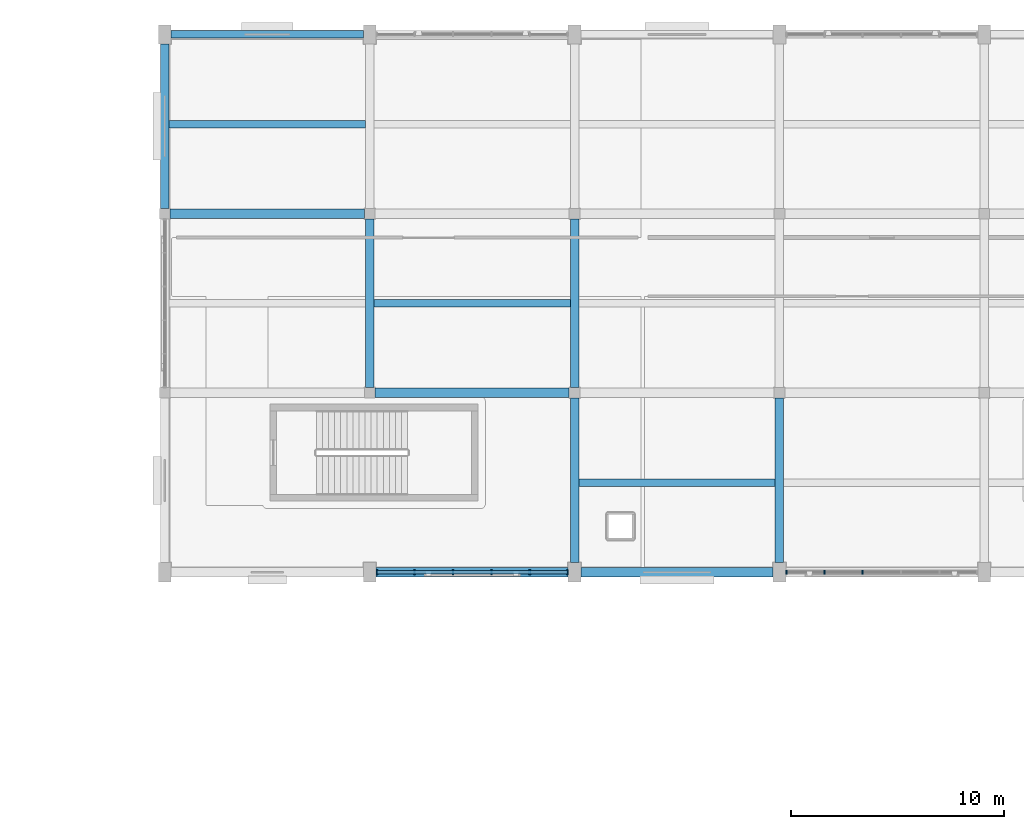
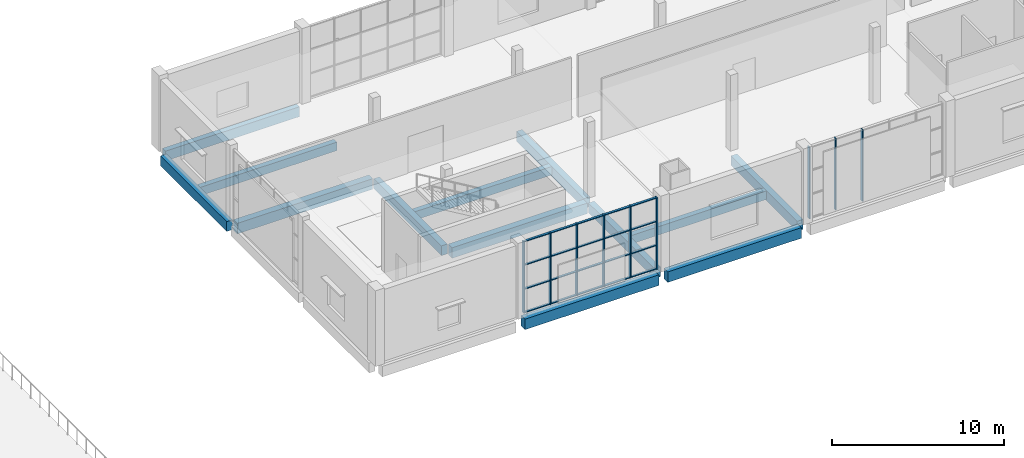
# One storey, part 22 of 72: 13 beams, 13 members, 2 elements without a shape of their own.
"""IFC4 building model written with IfcOpenShell, lengths in metres."""

import ifcopenshell
import ifcopenshell.guid

model = None  # the IFC model being written
_history = None  # IfcOwnerHistory: only IFC2X3 demands one
_inside = {}  # id of a spatial element -> (the spatial element, [elements in it])
_under = {}  # id of a project, library or spatial element -> (it, [spatial elements below it])
_declared = {}  # id of a project -> (the project, [libraries it declares])
_typed = {}  # id of a type object -> (the type object, [elements of that type])
_made_of = {}  # id of a material, layer set ... -> (it, [elements and type objects made of it])


def new_model(schema):
    """Start an empty IFC model of exactly this schema.

    Asked for "IFC4X3", IfcOpenShell would pick the latest addendum, in which some entities
    have other attributes; the version numbers below select the first issue.
    IFC2X3 requires an IfcOwnerHistory on every rooted entity: one is made here for all.
    """
    global model, _history
    if schema == "IFC4X3":
        model = ifcopenshell.file(schema_version=(4, 3, 0, 0))
    else:
        model = ifcopenshell.file(schema=schema)
    _inside.clear()
    _under.clear()
    _declared.clear()
    _typed.clear()
    _made_of.clear()
    _history = None
    if model.schema == "IFC2X3":
        org = make("IfcOrganization", Name="unknown")
        user = make(
            "IfcPersonAndOrganization",
            ThePerson=make("IfcPerson", FamilyName="unknown"),
            TheOrganization=org,
        )
        app = make(
            "IfcApplication",
            ApplicationDeveloper=org,
            Version="unknown",
            ApplicationFullName="unknown",
            ApplicationIdentifier="unknown",
        )
        _history = make(
            "IfcOwnerHistory",
            OwningUser=user,
            OwningApplication=app,
            ChangeAction="ADDED",
            CreationDate=0,
        )
    return model


def make(cls, **values):
    """One entity of the class cls with the attributes given. An attribute that is None is left unset."""
    return model.create_entity(
        cls, **{name: value for name, value in values.items() if value is not None}
    )


def rooted(cls, **values):
    """An entity with a GlobalId (a new one), such as an element, a storey or a relation."""
    return make(cls, GlobalId=ifcopenshell.guid.new(), OwnerHistory=_history, **values)


def si_unit(unit_type, name, prefix=None):
    """IfcSIUnit, for example si_unit("LENGTHUNIT", "METRE", prefix="MILLI")."""
    return make("IfcSIUnit", UnitType=unit_type, Prefix=prefix, Name=name)


def assignment(units):
    """IfcUnitAssignment: the units of a project."""
    return None if units is None else make("IfcUnitAssignment", Units=units)


def point(xyz):
    """IfcCartesianPoint."""
    return None if xyz is None else make("IfcCartesianPoint", Coordinates=xyz)


def direction(xyz):
    """IfcDirection."""
    return None if xyz is None else make("IfcDirection", DirectionRatios=xyz)


def frame(location, z_axis=None, x_axis=None):
    """IfcAxis2Placement3D, a coordinate frame: its origin and axes. An axis left out is left unset."""
    return make(
        "IfcAxis2Placement3D",
        Location=point(location),
        Axis=direction(z_axis),
        RefDirection=direction(x_axis),
    )


def frame_2d(location, x_axis=None):
    """IfcAxis2Placement2D, a coordinate frame in the plane: its origin and x axis."""
    return make(
        "IfcAxis2Placement2D", Location=point(location), RefDirection=direction(x_axis)
    )


def origin():
    """The frame at (0, 0, 0) with its axes left unset."""
    return frame((0.0, 0.0, 0.0))


def origin_2d():
    """The frame at (0, 0) in the plane with its x axis left unset."""
    return frame_2d((0.0, 0.0))


def place(relative_to, where):
    """IfcLocalPlacement: puts the frame where relative to a parent placement (None: the world)."""
    return make(
        "IfcLocalPlacement", PlacementRelTo=relative_to, RelativePlacement=where
    )


def context(
    kind, dimensions, precision=None, world=None, true_north=None, identifier=None
):
    """IfcGeometricRepresentationContext, for example the 3D "Model" context."""
    return make(
        "IfcGeometricRepresentationContext",
        ContextIdentifier=identifier,
        ContextType=kind,
        CoordinateSpaceDimension=dimensions,
        Precision=precision,
        WorldCoordinateSystem=world,
        TrueNorth=true_north,
    )


def subcontext(parent, identifier, kind, view, scale=None):
    """IfcGeometricRepresentationSubContext, for example "Body" below "Model"."""
    return make(
        "IfcGeometricRepresentationSubContext",
        ContextIdentifier=identifier,
        ContextType=kind,
        ParentContext=parent,
        TargetScale=scale,
        TargetView=view,
    )


def project(units=None, contexts=None):
    """IfcProject with its units and contexts."""
    return rooted(
        "IfcProject",
        Name="project",
        RepresentationContexts=contexts,
        UnitsInContext=assignment(units),
    )


def spatial(cls, under=None, at=None, **own):
    """A site, building, storey or space (cls), placed at a placement, below another one or the project."""
    s = rooted(cls, ObjectPlacement=at, **own)
    if under is not None:
        _under.setdefault(under.id(), (under, []))[1].append(s)
    return s


def profile(cls, at=None, kind="AREA", **sizes):
    """A parametric profile (cls). Its sizes go by their IFC names, for example OverallWidth=200.0."""
    return make(cls, ProfileType=kind, Position=at, **sizes)


def rectangle(**sizes):
    """IfcRectangleProfileDef."""
    return profile("IfcRectangleProfileDef", **sizes)


def extrude(swept, where, along, depth):
    """IfcExtrudedAreaSolid: the profile swept, set in the frame where, extruded along a direction by depth."""
    return make(
        "IfcExtrudedAreaSolid",
        SweptArea=swept,
        Position=where,
        ExtrudedDirection=direction(along),
        Depth=depth,
    )


def shape(context_of_items, identifier, shape_type, items):
    """IfcShapeRepresentation: the items that make up one representation, for example the "Body"."""
    return make(
        "IfcShapeRepresentation",
        ContextOfItems=context_of_items,
        RepresentationIdentifier=identifier,
        RepresentationType=shape_type,
        Items=items,
    )


def material(Name=None, Category=None):
    """IfcMaterial."""
    return make("IfcMaterial", Name=Name, Category=Category)


def material_profile(
    of_material, cross_section, Name=None, Category=None, Priority=None
):
    """IfcMaterialProfile: a cross section and its material."""
    return make(
        "IfcMaterialProfile",
        Name=Name,
        Material=of_material,
        Profile=cross_section,
        Priority=Priority,
        Category=Category,
    )


def profile_set(profiles, Name=None, composite=None):
    """IfcMaterialProfileSet."""
    return make(
        "IfcMaterialProfileSet",
        Name=Name,
        MaterialProfiles=profiles,
        CompositeProfile=composite,
    )


def made_of(thing, what):
    """Note that an element or type object is made of a material, layer set ...; save() writes the relation."""
    if what is not None:
        _made_of.setdefault(what.id(), (what, []))[1].append(thing)
    return thing


def type_object(cls, material=None, **own):
    """A type object (cls), such as IfcWallType, which elements share."""
    return made_of(rooted(cls, **own), material)


def element(
    cls,
    number,
    at=None,
    inside=None,
    cuts=None,
    type_object=None,
    material=None,
    context=None,
    identifier="Body",
    shape_type=None,
    held_by="IfcProductDefinitionShape",
    body=None,
    shapes=None,
    **own,
):
    """One element of the class cls, such as IfcWall. Its Tag is "e" and its number.

    at: its placement. inside: the storey or other place that contains it. cuts: it is an
    opening in that element (IfcRelVoidsElement). A single representation is given by context,
    identifier, shape_type and body (its items); several are given by shapes. held_by: the class
    of the entity that holds the representations. save() writes the other relations.
    """
    e = rooted(cls, Tag="e%d" % number, ObjectPlacement=at, **own)
    if body is not None:
        shapes = [shape(context, identifier, shape_type, body)]
    if shapes is not None:
        e.Representation = make(held_by, Representations=shapes)
    if inside is not None:
        _inside.setdefault(inside.id(), (inside, []))[1].append(e)
    if cuts is not None:
        rooted(
            "IfcRelVoidsElement", RelatingBuildingElement=cuts, RelatedOpeningElement=e
        )
    if type_object is not None:
        _typed.setdefault(type_object.id(), (type_object, []))[1].append(e)
    return made_of(e, material)


def aggregate(whole, parts):
    """IfcRelAggregates: a whole, such as a stair, and the parts it consists of."""
    return rooted("IfcRelAggregates", RelatingObject=whole, RelatedObjects=parts)


def save(model, path):
    """Write the relations noted so far, then the file.

    IfcRelAggregates (storeys below a building ...), IfcRelContainedInSpatialStructure (elements
    in a storey), IfcRelDefinesByType, IfcRelAssociatesMaterial and IfcRelDeclares: one each for
    every whole, place, type object, material and project.
    """
    for whole, parts in _under.values():
        aggregate(whole, parts)
    for where, things in _inside.values():
        rooted(
            "IfcRelContainedInSpatialStructure",
            RelatedElements=things,
            RelatingStructure=where,
        )
    for kind, things in _typed.values():
        rooted("IfcRelDefinesByType", RelatedObjects=things, RelatingType=kind)
    for what, things in _made_of.values():
        rooted("IfcRelAssociatesMaterial", RelatedObjects=things, RelatingMaterial=what)
    for by, libraries in _declared.values():
        rooted("IfcRelDeclares", RelatingContext=by, RelatedDefinitions=libraries)
    model.write(path)


model = new_model("IFC4")

# Units and contexts
model_context = context("Model", 3, precision=1e-05, world=origin(), true_north=direction((0.0, 1.0)))
body_context = subcontext(model_context, "Body", "Model", "MODEL_VIEW")
ifc_project = project(units=[si_unit("LENGTHUNIT", "METRE"), si_unit("AREAUNIT", "SQUARE_METRE"), si_unit("VOLUMEUNIT", "CUBIC_METRE"), si_unit("PLANEANGLEUNIT", "RADIAN"), si_unit("MASSUNIT", "GRAM", prefix="KILO")], contexts=[model_context])

# Site, building, storey
site_placement = place(None, origin())
site = spatial("IfcSite", under=ifc_project, at=site_placement, CompositionType="ELEMENT")
building_placement = place(site_placement, origin())
building = spatial("IfcBuilding", under=site, at=building_placement, Name="Shalvenor Court Art Gallery", CompositionType="ELEMENT")
storey_placement = place(building_placement, frame((0.0, 0.0, 11.39990234375)))
storey = spatial("IfcBuildingStorey", under=building, at=storey_placement, Name="L02", CompositionType="ELEMENT", Elevation=11.39990234375)

# Beams
ifc_material_1 = material(Name="Concrete C40/50", Category="concrete")
ifc_material_profile_1 = material_profile(ifc_material_1, rectangle(XDim=0.449951171875, YDim=0.75, at=origin_2d()), Name="RC 450x750")
ifc_profile_set_1 = profile_set([ifc_material_profile_1], Name="Concrete C40/50")
beam_type_1 = type_object("IfcBeamType", Name="B-04", PredefinedType="BEAM", material=ifc_profile_set_1)
for number, where, z_axis, x_axis, name in (
    (1, (67.5, 97.199951171875, -0.69482421875), (1.0, 0.0, 0.0), (0.0, 1.0, 0.0), "L02 Girder BM-L02-B-04-0874"),
    (2, (77.10009765625, 97.199951171875, -0.69482421875), (1.0, 0.0, 0.0), (0.0, 1.0, 0.0), "L02 Girder BM-L02-B-04-0875"),
):
    element("IfcBeam", number, at=place(storey_placement, frame(where, z_axis=z_axis, x_axis=x_axis)), inside=storey, type_object=beam_type_1, Name=name, PredefinedType="BEAM", context=body_context, shape_type="SweptSolid", body=[
        extrude(rectangle(XDim=0.449951171875, YDim=0.75, at=origin_2d()), origin(), (0.0, 0.0, 1.0), 9.0),
    ])
beam_1_placement = place(storey_placement, frame((67.449951171875, 105.60009765625, -0.69482421875), z_axis=(1.0, 0.0, 0.0), x_axis=(0.0, 1.0, 0.0)))
element("IfcBeam", 3, at=beam_1_placement, inside=storey, type_object=beam_type_1, Name="L02 Girder BM-L02-B-04-0889", PredefinedType="BEAM", context=body_context, shape_type="SweptSolid", body=[
    extrude(rectangle(XDim=0.449951171875, YDim=0.75, at=origin_2d()), origin(), (0.0, 0.0, 1.0), 9.10009765625),
])
beam_2_placement = place(storey_placement, frame((57.85009765625, 114.0, -0.69482421875), z_axis=(1.0, 0.0, 0.0), x_axis=(0.0, 1.0, 0.0)))
element("IfcBeam", 4, at=beam_2_placement, inside=storey, type_object=beam_type_1, Name="L02 Girder BM-L02-B-04-0895", PredefinedType="BEAM", context=body_context, shape_type="SweptSolid", body=[
    extrude(rectangle(XDim=0.449951171875, YDim=0.75, at=origin_2d()), origin(), (0.0, 0.0, 1.0), 9.099853515625),
])
ifc_material_2 = material(Name="Concrete C40/50", Category="concrete")
ifc_material_profile_2 = material_profile(ifc_material_2, rectangle(XDim=0.39990234375, YDim=0.699951171875, at=origin_2d()), Name="RC 400x700")
ifc_profile_set_2 = profile_set([ifc_material_profile_2], Name="Concrete C40/50")
beam_type_2 = type_object("IfcBeamType", Name="B-05", PredefinedType="BEAM", material=ifc_profile_set_2)
beam_3_placement = place(storey_placement, frame((57.60009765625, 114.25, -0.669921875), z_axis=(0.0, 1.0, 0.0), x_axis=(-1.0, 0.0, 0.0)))
element("IfcBeam", 5, at=beam_3_placement, inside=storey, type_object=beam_type_2, Name="L02 Girder BM-L02-B-05-0730", PredefinedType="BEAM", context=body_context, shape_type="SweptSolid", body=[
    extrude(rectangle(XDim=0.39990234375, YDim=0.699951171875, at=origin_2d()), origin(), (0.0, 0.0, 1.0), 7.699951171875),
])
beam_4_placement = place(storey_placement, frame((67.199951171875, 105.85009765625, -0.669921875), z_axis=(0.0, 1.0, 0.0), x_axis=(-1.0, 0.0, 0.0)))
element("IfcBeam", 6, at=beam_4_placement, inside=storey, type_object=beam_type_2, Name="L02 Girder BM-L02-B-05-0734", PredefinedType="BEAM", context=body_context, shape_type="SweptSolid", body=[
    extrude(rectangle(XDim=0.39990234375, YDim=0.699951171875, at=origin_2d()), origin(), (0.0, 0.0, 1.0), 7.89990234375),
])
beam_5_placement = place(storey_placement, frame((76.800048828125, 97.64990234375, -0.669921875), z_axis=(0.0, 1.0, 0.0), x_axis=(-1.0, 0.0, 0.0)))
element("IfcBeam", 7, at=beam_5_placement, inside=storey, type_object=beam_type_2, Name="L02 Girder BM-L02-B-05-0736", PredefinedType="BEAM", context=body_context, shape_type="SweptSolid", body=[
    extrude(rectangle(XDim=0.39990234375, YDim=0.699951171875, at=origin_2d()), origin(), (0.0, 0.0, 1.0), 7.7001953125),
])
beam_6_placement = place(storey_placement, frame((76.800048828125, 105.85009765625, -0.669921875), z_axis=(0.0, 1.0, 0.0), x_axis=(-1.0, 0.0, 0.0)))
element("IfcBeam", 8, at=beam_6_placement, inside=storey, type_object=beam_type_2, Name="L02 Girder BM-L02-B-05-0737", PredefinedType="BEAM", context=body_context, shape_type="SweptSolid", body=[
    extrude(rectangle(XDim=0.39990234375, YDim=0.699951171875, at=origin_2d()), origin(), (0.0, 0.0, 1.0), 7.89990234375),
])
beam_7_placement = place(storey_placement, frame((86.39990234375, 97.64990234375, -0.669921875), z_axis=(0.0, 1.0, 0.0), x_axis=(-1.0, 0.0, 0.0)))
element("IfcBeam", 9, at=beam_7_placement, inside=storey, type_object=beam_type_2, Name="L02 Girder BM-L02-B-05-0739", PredefinedType="BEAM", context=body_context, shape_type="SweptSolid", body=[
    extrude(rectangle(XDim=0.39990234375, YDim=0.699951171875, at=origin_2d()), origin(), (0.0, 0.0, 1.0), 7.7001953125),
])

# Curtain wall, members
ifc_material_3 = material(Name="Anodised aluminium and low-iron glass curtain wall", Category="aluminium")
curtain_wall_type_1 = type_object("IfcCurtainWallType", Name="CW-5x3-90-51-242", PredefinedType="USERDEFINED", material=ifc_material_3)
curtain_wall_1_placement = place(storey_placement, origin())
curtain_wall_1 = element("IfcCurtainWall", 10, at=curtain_wall_1_placement, inside=storey, type_object=curtain_wall_type_1, Name="L02 V2 Curtain Wall CW-L02-077", ObjectType="CURTAIN WALL", PredefinedType="USERDEFINED")
ifc_material_4 = material(Name="Anodised aluminium mullion", Category="aluminium")
ifc_material_profile_3 = material_profile(ifc_material_4, rectangle(XDim=0.070068359375, YDim=0.199951171875, at=origin_2d()), Name="CWM-02")
ifc_profile_set_3 = profile_set([ifc_material_profile_3], Name="Anodised aluminium mullion")
member_type_1 = type_object("IfcMemberType", Name="CWM-02", PredefinedType="MULLION", material=ifc_profile_set_3)
member_1_placement = place(storey_placement, frame((90.300048828125, 97.199951171875, 0.0), z_axis=(0.0, 0.0, 1.0), x_axis=(-1.0, 0.0, 0.0)))
member_1 = element("IfcMember", 11, at=member_1_placement, type_object=member_type_1, Name="CW-5x3-90-51-242 mullion 4", PredefinedType="MULLION", context=body_context, shape_type="SweptSolid", body=[
    extrude(rectangle(XDim=0.070068359375, YDim=0.199951171875, at=origin_2d()), origin(), (0.0, 0.0, 1.0), 5.10009765625),
])
member_2_placement = place(storey_placement, frame((88.5, 97.199951171875, 0.0), z_axis=(0.0, 0.0, 1.0), x_axis=(-1.0, 0.0, 0.0)))
member_2 = element("IfcMember", 12, at=member_2_placement, type_object=member_type_1, Name="CW-5x3-90-51-242 mullion 5", PredefinedType="MULLION", context=body_context, shape_type="SweptSolid", body=[
    extrude(rectangle(XDim=0.070068359375, YDim=0.199951171875, at=origin_2d()), origin(), (0.0, 0.0, 1.0), 5.10009765625),
])
member_3_placement = place(storey_placement, frame((86.735107421875, 97.199951171875, 0.0), z_axis=(0.0, 0.0, 1.0), x_axis=(-1.0, 0.0, 0.0)))
member_3 = element("IfcMember", 13, at=member_3_placement, type_object=member_type_1, Name="CW-5x3-90-51-242 mullion 6", PredefinedType="MULLION", context=body_context, shape_type="SweptSolid", body=[
    extrude(rectangle(XDim=0.070068359375, YDim=0.199951171875, at=origin_2d()), origin(), (0.0, 0.0, 1.0), 5.10009765625),
])
aggregate(curtain_wall_1, [member_1, member_2, member_3])

ifc_material_5 = material(Name="Anodised aluminium and low-iron glass curtain wall", Category="aluminium")
curtain_wall_type_2 = type_object("IfcCurtainWallType", Name="CW-5x3-90-51-412", PredefinedType="USERDEFINED", material=ifc_material_5)
curtain_wall_2_placement = place(storey_placement, origin())
curtain_wall_2 = element("IfcCurtainWall", 14, at=curtain_wall_2_placement, inside=storey, type_object=curtain_wall_type_2, Name="L02 V2 Curtain Wall CW-L02-078", ObjectType="CURTAIN WALL", PredefinedType="USERDEFINED")
ifc_material_6 = material(Name="Anodised aluminium mullion", Category="aluminium")
ifc_material_profile_4 = material_profile(ifc_material_6, rectangle(XDim=0.074951171875, YDim=0.219970703125, at=origin_2d()), Name="CWM-04")
ifc_profile_set_4 = profile_set([ifc_material_profile_4], Name="Anodised aluminium mullion")
member_type_2 = type_object("IfcMemberType", Name="CWM-04", PredefinedType="MULLION", material=ifc_profile_set_4)
member_4_placement = place(storey_placement, frame((76.46240234375, 97.199951171875, 0.0), z_axis=(0.0, 0.0, 1.0), x_axis=(-1.0, 0.0, 0.0)))
member_4 = element("IfcMember", 15, at=member_4_placement, type_object=member_type_2, Name="CW-5x3-90-51-412 mullion 1", PredefinedType="MULLION", context=body_context, shape_type="SweptSolid", body=[
    extrude(rectangle(XDim=0.074951171875, YDim=0.219970703125, at=origin_2d()), origin(), (0.0, 0.0, 1.0), 5.10009765625),
])
member_5_placement = place(storey_placement, frame((74.699951171875, 97.199951171875, 0.0), z_axis=(0.0, 0.0, 1.0), x_axis=(-1.0, 0.0, 0.0)))
member_5 = element("IfcMember", 16, at=member_5_placement, type_object=member_type_2, Name="CW-5x3-90-51-412 mullion 2", PredefinedType="MULLION", context=body_context, shape_type="SweptSolid", body=[
    extrude(rectangle(XDim=0.074951171875, YDim=0.219970703125, at=origin_2d()), origin(), (0.0, 0.0, 1.0), 5.10009765625),
])
member_6_placement = place(storey_placement, frame((72.89990234375, 97.199951171875, 0.0), z_axis=(0.0, 0.0, 1.0), x_axis=(-1.0, 0.0, 0.0)))
member_6 = element("IfcMember", 17, at=member_6_placement, type_object=member_type_2, Name="CW-5x3-90-51-412 mullion 3", PredefinedType="MULLION", context=body_context, shape_type="SweptSolid", body=[
    extrude(rectangle(XDim=0.074951171875, YDim=0.219970703125, at=origin_2d()), origin(), (0.0, 0.0, 1.0), 5.10009765625),
])
member_7_placement = place(storey_placement, frame((71.10009765625, 97.199951171875, 0.0), z_axis=(0.0, 0.0, 1.0), x_axis=(-1.0, 0.0, 0.0)))
member_7 = element("IfcMember", 18, at=member_7_placement, type_object=member_type_2, Name="CW-5x3-90-51-412 mullion 4", PredefinedType="MULLION", context=body_context, shape_type="SweptSolid", body=[
    extrude(rectangle(XDim=0.074951171875, YDim=0.219970703125, at=origin_2d()), origin(), (0.0, 0.0, 1.0), 5.10009765625),
])
member_8_placement = place(storey_placement, frame((69.300048828125, 97.199951171875, 0.0), z_axis=(0.0, 0.0, 1.0), x_axis=(-1.0, 0.0, 0.0)))
member_8 = element("IfcMember", 19, at=member_8_placement, type_object=member_type_2, Name="CW-5x3-90-51-412 mullion 5", PredefinedType="MULLION", context=body_context, shape_type="SweptSolid", body=[
    extrude(rectangle(XDim=0.074951171875, YDim=0.219970703125, at=origin_2d()), origin(), (0.0, 0.0, 1.0), 5.10009765625),
])
member_9_placement = place(storey_placement, frame((67.53759765625, 97.199951171875, 0.0), z_axis=(0.0, 0.0, 1.0), x_axis=(-1.0, 0.0, 0.0)))
member_9 = element("IfcMember", 20, at=member_9_placement, type_object=member_type_2, Name="CW-5x3-90-51-412 mullion 6", PredefinedType="MULLION", context=body_context, shape_type="SweptSolid", body=[
    extrude(rectangle(XDim=0.074951171875, YDim=0.219970703125, at=origin_2d()), origin(), (0.0, 0.0, 1.0), 5.10009765625),
])
ifc_material_7 = material(Name="Anodised aluminium transom", Category="aluminium")
ifc_material_profile_5 = material_profile(ifc_material_7, rectangle(XDim=0.14990234375, YDim=0.06005859375, at=origin_2d()), Name="CWT-01")
ifc_profile_set_5 = profile_set([ifc_material_profile_5], Name="Anodised aluminium transom")
member_type_3 = type_object("IfcMemberType", Name="CWT-01", PredefinedType="USERDEFINED", material=ifc_profile_set_5)
member_10_placement = place(storey_placement, frame((76.46240234375, 97.199951171875, 0.030029296875), z_axis=(-1.0, 0.0, 0.0), x_axis=(0.0, -1.0, 0.0)))
member_10 = element("IfcMember", 21, at=member_10_placement, type_object=member_type_3, Name="CW-5x3-90-51-412 transom 1", ObjectType="TRANSOM", PredefinedType="USERDEFINED", context=body_context, shape_type="SweptSolid", body=[
    extrude(rectangle(XDim=0.14990234375, YDim=0.06005859375, at=origin_2d()), origin(), (0.0, 0.0, 1.0), 8.9248046875),
])
member_11_placement = place(storey_placement, frame((76.46240234375, 97.199951171875, 1.7001953125), z_axis=(-1.0, 0.0, 0.0), x_axis=(0.0, -1.0, 0.0)))
member_11 = element("IfcMember", 22, at=member_11_placement, type_object=member_type_3, Name="CW-5x3-90-51-412 transom 2", ObjectType="TRANSOM", PredefinedType="USERDEFINED", context=body_context, shape_type="SweptSolid", body=[
    extrude(rectangle(XDim=0.14990234375, YDim=0.06005859375, at=origin_2d()), origin(), (0.0, 0.0, 1.0), 8.9248046875),
])
member_12_placement = place(storey_placement, frame((76.46240234375, 97.199951171875, 3.400146484375), z_axis=(-1.0, 0.0, 0.0), x_axis=(0.0, -1.0, 0.0)))
member_12 = element("IfcMember", 23, at=member_12_placement, type_object=member_type_3, Name="CW-5x3-90-51-412 transom 3", ObjectType="TRANSOM", PredefinedType="USERDEFINED", context=body_context, shape_type="SweptSolid", body=[
    extrude(rectangle(XDim=0.14990234375, YDim=0.06005859375, at=origin_2d()), origin(), (0.0, 0.0, 1.0), 8.9248046875),
])
member_13_placement = place(storey_placement, frame((76.46240234375, 97.199951171875, 5.070068359375), z_axis=(-1.0, 0.0, 0.0), x_axis=(0.0, -1.0, 0.0)))
member_13 = element("IfcMember", 24, at=member_13_placement, type_object=member_type_3, Name="CW-5x3-90-51-412 transom 4", ObjectType="TRANSOM", PredefinedType="USERDEFINED", context=body_context, shape_type="SweptSolid", body=[
    extrude(rectangle(XDim=0.14990234375, YDim=0.06005859375, at=origin_2d()), origin(), (0.0, 0.0, 1.0), 8.9248046875),
])
aggregate(curtain_wall_2, [member_4, member_5, member_6, member_7, member_8, member_9, member_10, member_11, member_12, member_13])

# Beams
ifc_material_8 = material(Name="Concrete C40/50", Category="concrete")
ifc_material_profile_6 = material_profile(ifc_material_8, rectangle(XDim=0.35009765625, YDim=0.60009765625, at=origin_2d()), Name="RC 350x600")
ifc_profile_set_6 = profile_set([ifc_material_profile_6], Name="Concrete C40/50")
beam_type_3 = type_object("IfcBeamType", Name="J-01", PredefinedType="JOIST", material=ifc_profile_set_6)
beam_8_placement = place(storey_placement, frame((57.800048828125, 118.199951171875, -0.619873046875), z_axis=(1.0, 0.0, 0.0), x_axis=(0.0, 1.0, 0.0)))
element("IfcBeam", 25, at=beam_8_placement, inside=storey, type_object=beam_type_3, Name="L02 Secondary Beam JST-L02-J-01-0928", PredefinedType="JOIST", context=body_context, shape_type="SweptSolid", body=[
    extrude(rectangle(XDim=0.35009765625, YDim=0.60009765625, at=origin_2d()), origin(), (0.0, 0.0, 1.0), 9.199951171875),
])
beam_9_placement = place(storey_placement, frame((67.39990234375, 109.800048828125, -0.619873046875), z_axis=(1.0, 0.0, 0.0), x_axis=(0.0, 1.0, 0.0)))
element("IfcBeam", 26, at=beam_9_placement, inside=storey, type_object=beam_type_3, Name="L02 Secondary Beam JST-L02-J-01-0929", PredefinedType="JOIST", context=body_context, shape_type="SweptSolid", body=[
    extrude(rectangle(XDim=0.35009765625, YDim=0.60009765625, at=origin_2d()), origin(), (0.0, 0.0, 1.0), 9.2001953125),
])
beam_10_placement = place(storey_placement, frame((77.0, 101.39990234375, -0.619873046875), z_axis=(1.0, 0.0, 0.0), x_axis=(0.0, 1.0, 0.0)))
element("IfcBeam", 27, at=beam_10_placement, inside=storey, type_object=beam_type_3, Name="L02 Secondary Beam JST-L02-J-01-0931", PredefinedType="JOIST", context=body_context, shape_type="SweptSolid", body=[
    extrude(rectangle(XDim=0.35009765625, YDim=0.60009765625, at=origin_2d()), origin(), (0.0, 0.0, 1.0), 9.199951171875),
])
ifc_material_9 = material(Name="Concrete C40/50", Category="concrete")
ifc_material_profile_7 = material_profile(ifc_material_9, rectangle(XDim=0.35009765625, YDim=0.699951171875, at=origin_2d()), Name="RC 350x700")
ifc_profile_set_7 = profile_set([ifc_material_profile_7], Name="Concrete C40/50")
beam_type_4 = type_object("IfcBeamType", Name="SP-01", PredefinedType="SPANDREL", material=ifc_profile_set_7)
beam_11_placement = place(storey_placement, frame((57.89990234375, 122.39990234375, -0.669921875), z_axis=(1.0, 0.0, 0.0), x_axis=(0.0, 1.0, 0.0)))
element("IfcBeam", 28, at=beam_11_placement, inside=storey, type_object=beam_type_4, Name="L02 Spandrel Girder BM-L02-SP-01-0906", PredefinedType="SPANDREL", context=body_context, shape_type="SweptSolid", body=[
    extrude(rectangle(XDim=0.35009765625, YDim=0.699951171875, at=origin_2d()), origin(), (0.0, 0.0, 1.0), 9.0),
])

save(model, "model.ifc")
